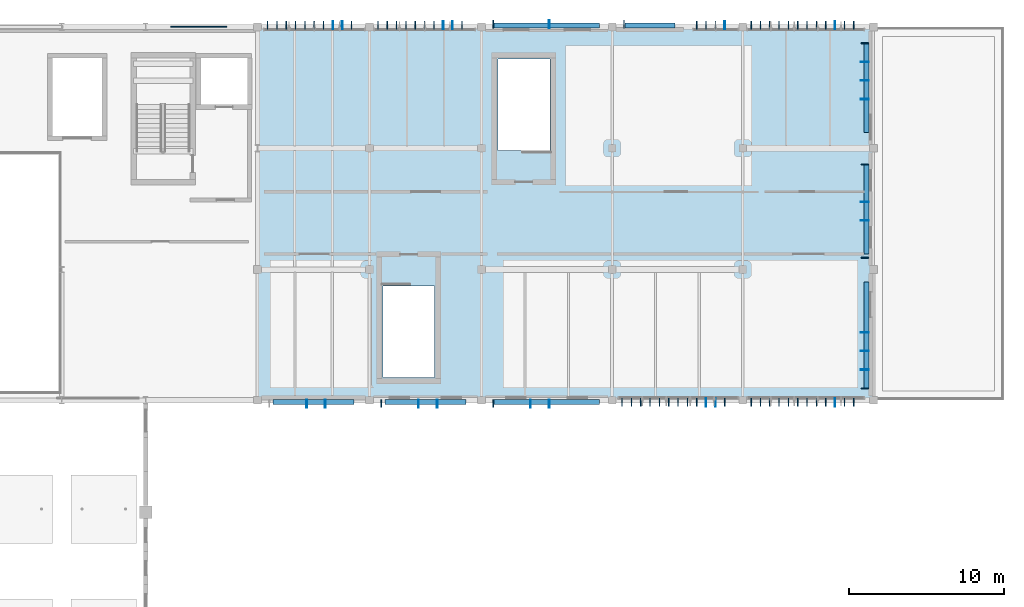
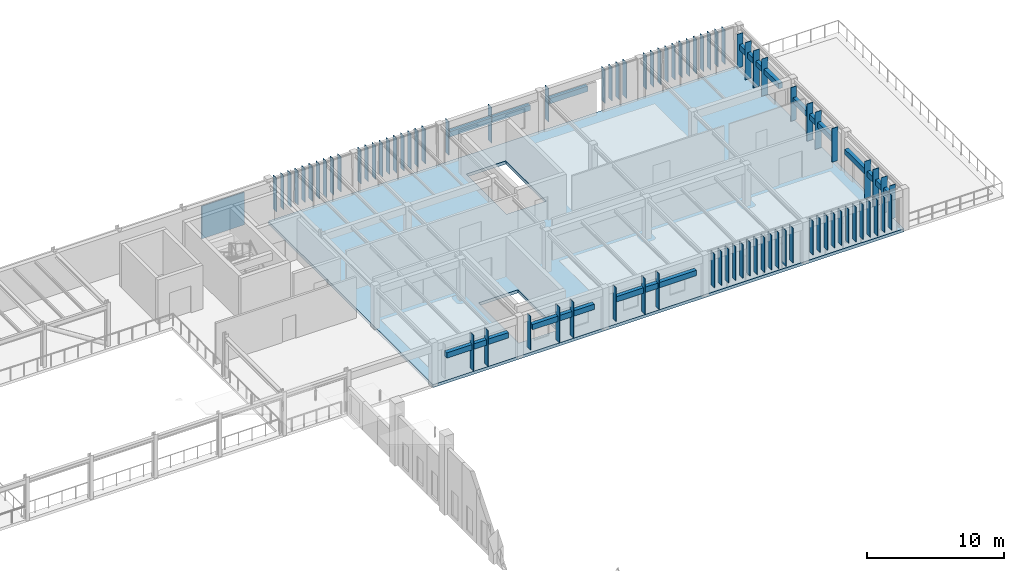
# One storey, part 15 of 44: 92 plates, 1 slab.
"""IFC4 building model written with IfcOpenShell, lengths in metres."""

from ifc_helpers import new_model, si_unit, direction, frame, origin, origin_2d, place, context, subcontext, project, spatial, polyline, rectangle, outline, extrude, material, layer, layer_set, type_object, element, save


model = new_model("IFC4")

# Units and contexts
model_context = context("Model", 3, precision=1e-05, world=origin(), true_north=direction((0.0, 1.0)))
body_context = subcontext(model_context, "Body", "Model", "MODEL_VIEW")
ifc_project = project(units=[si_unit("LENGTHUNIT", "METRE"), si_unit("AREAUNIT", "SQUARE_METRE"), si_unit("VOLUMEUNIT", "CUBIC_METRE"), si_unit("PLANEANGLEUNIT", "RADIAN"), si_unit("MASSUNIT", "GRAM", prefix="KILO")], contexts=[model_context])

# Site, building, storey
site_placement = place(None, origin())
site = spatial("IfcSite", under=ifc_project, at=site_placement, CompositionType="ELEMENT")
building_placement = place(site_placement, origin())
building = spatial("IfcBuilding", under=site, at=building_placement, Name="Tazoul Stagehouse", CompositionType="ELEMENT")
storey_placement = place(building_placement, frame((0.0, 0.0, 13.199951171875)))
storey = spatial("IfcBuildingStorey", under=building, at=storey_placement, Name="L03", CompositionType="ELEMENT", Elevation=13.199951171875)

# Slab
ifc_material_1 = material(Name="Concrete C35/45", Category="concrete")
ifc_layer_1 = layer(ifc_material_1, 0.27001953125, Name="Concrete C35/45")
ifc_layer_set_1 = layer_set([ifc_layer_1], Name="Concrete C35/45")
slab_type = type_object("IfcSlabType", Name="Acoustic Rehearsal Slab 270", PredefinedType="FLOOR", material=ifc_layer_set_1)
slab_placement = place(storey_placement, frame((0.0, 0.0, -0.27001953125)))
element("IfcSlab", 1, at=slab_placement, inside=storey, type_object=slab_type, Name="L03 Acoustic Rehearsal Slab 270 (V3)", PredefinedType="FLOOR", context=body_context, shape_type="SweptSolid", body=[
    extrude(outline(polyline([(102.60009765625, 87.800048828125), (102.60009765625, 111.800048828125), (142.199951171875, 111.800048828125), (142.199951171875, 87.800048828125), (102.60009765625, 87.800048828125)]), holes=[polyline([(113.989990234375, 95.139892578125), (113.989990234375, 89.260009765625), (110.659912109375, 89.260009765625), (110.659912109375, 95.139892578125), (113.989990234375, 95.139892578125)]), polyline([(118.06005859375, 103.860107421875), (118.06005859375, 109.739990234375), (121.389892578125, 109.739990234375), (121.389892578125, 103.860107421875), (118.06005859375, 103.860107421875)])]), origin(), (0.0, 0.0, 1.0), 0.27001953125),
])

# Plates
ifc_material_2 = material(Name="Anodised Bronze Aluminium 6063-T6", Category="aluminium")
ifc_layer_2 = layer(ifc_material_2, 0.080078125, Name="Anodised Bronze Aluminium 6063-T6")
ifc_layer_set_2 = layer_set([ifc_layer_2], Name="Anodised Bronze Aluminium 6063-T6")
plate_type_1 = type_object("IfcPlateType", Name="Fly-Tower Acoustic Metal Cladding Cassette 80", PredefinedType="USERDEFINED", material=ifc_layer_set_2)
plate_1_placement = place(storey_placement, frame((98.800048828125, 111.820068359375, 0.375), z_axis=(0.0, 0.0, 1.0), x_axis=(1.0, 0.0, 0.0)))
element("IfcPlate", 2, at=plate_1_placement, inside=storey, type_object=plate_type_1, Name="L03 Fly-Tower Metal Cladding Panel MTL-01 N4", ObjectType="CLADDING PANEL", PredefinedType="USERDEFINED", context=body_context, shape_type="SweptSolid", body=[
    extrude(rectangle(XDim=3.60009765625, YDim=0.080078125, at=origin_2d()), origin(), (0.0, 0.0, 1.0), 2.89990234375),
])
ifc_layer_3 = layer(ifc_material_2, 0.5, Name="Anodised Bronze Aluminium 6063-T6")
ifc_layer_set_3 = layer_set([ifc_layer_3], Name="Anodised Bronze Aluminium 6063-T6")
plate_type_2 = type_object("IfcPlateType", Name="Parametric Terracotta-Bronze Solar Fin 500x3000", PredefinedType="USERDEFINED", material=ifc_layer_set_3)
for number, where, z_axis, x_axis, name in (
    (3, (103.239990234375, 111.909912109375, 0.650146484375), (0.0, 0.0, 1.0), (1.0, 0.0, 0.0), "L03 Parametric Solar Fin SFN-16 (CW-V3-N1-L03-B1-01)"),
    (4, (103.840087890625, 111.909912109375, 0.650146484375), (0.0, 0.0, 1.0), (1.0, 0.0, 0.0), "L03 Parametric Solar Fin SFN-16 (CW-V3-N1-L03-B1-02)"),
    (5, (104.43994140625, 111.909912109375, 0.650146484375), (0.0, 0.0, 1.0), (1.0, 0.0, 0.0), "L03 Parametric Solar Fin SFN-16 (CW-V3-N1-L03-B1-03)"),
    (6, (105.0400390625, 111.909912109375, 0.650146484375), (0.0, 0.0, 1.0), (1.0, 0.0, 0.0), "L03 Parametric Solar Fin SFN-16 (CW-V3-N1-L03-B1-04)"),
    (7, (105.639892578125, 111.909912109375, 0.650146484375), (0.0, 0.0, 1.0), (1.0, 0.0, 0.0), "L03 Parametric Solar Fin SFN-16 (CW-V3-N1-L03-B1-05)"),
    (8, (110.340087890625, 111.909912109375, 0.650146484375), (0.0, 0.0, 1.0), (1.0, 0.0, 0.0), "L03 Parametric Solar Fin SFN-16 (CW-V3-N1-L03-B2-01)"),
    (9, (110.93994140625, 111.909912109375, 0.650146484375), (0.0, 0.0, 1.0), (1.0, 0.0, 0.0), "L03 Parametric Solar Fin SFN-16 (CW-V3-N1-L03-B2-02)"),
    (10, (111.5400390625, 111.909912109375, 0.650146484375), (0.0, 0.0, 1.0), (1.0, 0.0, 0.0), "L03 Parametric Solar Fin SFN-16 (CW-V3-N1-L03-B2-03)"),
    (11, (112.139892578125, 111.909912109375, 0.650146484375), (0.0, 0.0, 1.0), (1.0, 0.0, 0.0), "L03 Parametric Solar Fin SFN-16 (CW-V3-N1-L03-B2-04)"),
    (12, (112.739990234375, 111.909912109375, 0.650146484375), (0.0, 0.0, 1.0), (1.0, 0.0, 0.0), "L03 Parametric Solar Fin SFN-16 (CW-V3-N1-L03-B2-05)"),
    (13, (117.7548828125, 111.97998046875, 0.580078125), (0.0, 0.0, 1.0), (1.0, 0.0, 0.0), "L03 Parametric Solar Fin SFN-16 (WALL-V3-N2-L03-S1-01)"),
    (14, (126.155029296875, 111.97998046875, 0.580078125), (0.0, 0.0, 1.0), (1.0, 0.0, 0.0), "L03 Parametric Solar Fin SFN-16 (WALL-V3-N2-L03-S2-01)"),
    (15, (130.840087890625, 111.909912109375, 0.650146484375), (0.0, 0.0, 1.0), (1.0, 0.0, 0.0), "L03 Parametric Solar Fin SFN-16 (CW-V3-N3-L03-B1-01)"),
    (16, (131.43994140625, 111.909912109375, 0.650146484375), (0.0, 0.0, 1.0), (1.0, 0.0, 0.0), "L03 Parametric Solar Fin SFN-16 (CW-V3-N3-L03-B1-02)"),
    (17, (134.340087890625, 111.909912109375, 0.650146484375), (0.0, 0.0, 1.0), (1.0, 0.0, 0.0), "L03 Parametric Solar Fin SFN-16 (CW-V3-N3-L03-B2-01)"),
    (18, (134.93994140625, 111.909912109375, 0.650146484375), (0.0, 0.0, 1.0), (1.0, 0.0, 0.0), "L03 Parametric Solar Fin SFN-16 (CW-V3-N3-L03-B2-02)"),
    (19, (135.5400390625, 111.909912109375, 0.650146484375), (0.0, 0.0, 1.0), (1.0, 0.0, 0.0), "L03 Parametric Solar Fin SFN-16 (CW-V3-N3-L03-B2-03)"),
    (20, (136.139892578125, 111.909912109375, 0.650146484375), (0.0, 0.0, 1.0), (1.0, 0.0, 0.0), "L03 Parametric Solar Fin SFN-16 (CW-V3-N3-L03-B2-04)"),
    (21, (136.739990234375, 111.909912109375, 0.650146484375), (0.0, 0.0, 1.0), (1.0, 0.0, 0.0), "L03 Parametric Solar Fin SFN-16 (CW-V3-N3-L03-B2-05)"),
    (22, (137.340087890625, 111.909912109375, 0.650146484375), (0.0, 0.0, 1.0), (1.0, 0.0, 0.0), "L03 Parametric Solar Fin SFN-16 (CW-V3-N3-L03-B2-06)"),
    (23, (110.554931640625, 87.590087890625, 0.580078125), (0.0, 0.0, 1.0), (1.0, 0.0, 0.0), "L03 Parametric Solar Fin SFN-16 (WALL-V3-S1-L03-S2-01)"),
    (24, (117.7548828125, 87.590087890625, 0.580078125), (0.0, 0.0, 1.0), (1.0, 0.0, 0.0), "L03 Parametric Solar Fin SFN-16 (WALL-V3-S1-L03-S3-01)"),
    (25, (126.0400390625, 87.659912109375, 0.650146484375), (0.0, 0.0, 1.0), (1.0, 0.0, 0.0), "L03 Parametric Solar Fin SFN-16 (CW-V3-S2-L03-B1-01)"),
    (26, (126.639892578125, 87.659912109375, 0.650146484375), (0.0, 0.0, 1.0), (1.0, 0.0, 0.0), "L03 Parametric Solar Fin SFN-16 (CW-V3-S2-L03-B1-02)"),
    (27, (127.239990234375, 87.659912109375, 0.650146484375), (0.0, 0.0, 1.0), (1.0, 0.0, 0.0), "L03 Parametric Solar Fin SFN-16 (CW-V3-S2-L03-B1-03)"),
    (28, (127.840087890625, 87.659912109375, 0.650146484375), (0.0, 0.0, 1.0), (1.0, 0.0, 0.0), "L03 Parametric Solar Fin SFN-16 (CW-V3-S2-L03-B1-04)"),
    (29, (128.43994140625, 87.659912109375, 0.650146484375), (0.0, 0.0, 1.0), (1.0, 0.0, 0.0), "L03 Parametric Solar Fin SFN-16 (CW-V3-S2-L03-B1-05)"),
    (30, (129.0400390625, 87.659912109375, 0.650146484375), (0.0, 0.0, 1.0), (1.0, 0.0, 0.0), "L03 Parametric Solar Fin SFN-16 (CW-V3-S2-L03-B1-06)"),
    (31, (134.340087890625, 87.659912109375, 0.650146484375), (0.0, 0.0, 1.0), (1.0, 0.0, 0.0), "L03 Parametric Solar Fin SFN-16 (CW-V3-S2-L03-B2-01)"),
    (32, (134.93994140625, 87.659912109375, 0.650146484375), (0.0, 0.0, 1.0), (1.0, 0.0, 0.0), "L03 Parametric Solar Fin SFN-16 (CW-V3-S2-L03-B2-02)"),
    (33, (135.5400390625, 87.659912109375, 0.650146484375), (0.0, 0.0, 1.0), (1.0, 0.0, 0.0), "L03 Parametric Solar Fin SFN-16 (CW-V3-S2-L03-B2-03)"),
    (34, (136.139892578125, 87.659912109375, 0.650146484375), (0.0, 0.0, 1.0), (1.0, 0.0, 0.0), "L03 Parametric Solar Fin SFN-16 (CW-V3-S2-L03-B2-04)"),
    (35, (136.739990234375, 87.659912109375, 0.650146484375), (0.0, 0.0, 1.0), (1.0, 0.0, 0.0), "L03 Parametric Solar Fin SFN-16 (CW-V3-S2-L03-B2-05)"),
    (36, (137.340087890625, 87.659912109375, 0.650146484375), (0.0, 0.0, 1.0), (1.0, 0.0, 0.0), "L03 Parametric Solar Fin SFN-16 (CW-V3-S2-L03-B2-06)"),
    (37, (141.659912109375, 88.554931640625, 0.630126953125), (0.0, 0.0, 1.0), (0.0, 1.0, 0.0), "L03 Parametric Solar Fin SFN-16 (WALL-V3-E-L03-S1-01)"),
    (38, (141.659912109375, 96.955078125, 0.630126953125), (0.0, 0.0, 1.0), (0.0, 1.0, 0.0), "L03 Parametric Solar Fin SFN-16 (WALL-V3-E-L03-S2-01)"),
    (39, (141.659912109375, 102.955078125, 0.630126953125), (0.0, 0.0, 1.0), (0.0, 1.0, 0.0), "L03 Parametric Solar Fin SFN-16 (WALL-V3-E-L03-S2-06)"),
    (40, (141.659912109375, 110.7548828125, 0.630126953125), (0.0, 0.0, 1.0), (0.0, 1.0, 0.0), "L03 Parametric Solar Fin SFN-16 (WALL-V3-E-L03-S3-06)"),
):
    element("IfcPlate", number, at=place(storey_placement, frame(where, z_axis=z_axis, x_axis=x_axis)), inside=storey, type_object=plate_type_2, Name=name, ObjectType="SOLAR FIN", PredefinedType="USERDEFINED", context=body_context, shape_type="SweptSolid", body=[
        extrude(rectangle(XDim=0.044921875, YDim=0.5, at=origin_2d()), origin(), (0.0, 0.0, 1.0), 3.0),
    ])
ifc_layer_4 = layer(ifc_material_2, 0.510009765625, Name="Anodised Bronze Aluminium 6063-T6")
ifc_layer_set_4 = layer_set([ifc_layer_4], Name="Anodised Bronze Aluminium 6063-T6")
plate_type_3 = type_object("IfcPlateType", Name="Parametric Terracotta-Bronze Solar Fin 510x3100", PredefinedType="USERDEFINED", material=ifc_layer_set_4)
for number, where, z_axis, x_axis, name in (
    (41, (106.239990234375, 111.9150390625, 0.550048828125), (0.0, 0.0, 1.0), (1.0, 0.0, 0.0), "L03 Parametric Solar Fin SFN-17 (CW-V3-N1-L03-B1-06)"),
    (42, (106.840087890625, 111.9150390625, 0.550048828125), (0.0, 0.0, 1.0), (1.0, 0.0, 0.0), "L03 Parametric Solar Fin SFN-17 (CW-V3-N1-L03-B1-07)"),
    (43, (108.639892578125, 111.9150390625, 0.550048828125), (0.0, 0.0, 1.0), (1.0, 0.0, 0.0), "L03 Parametric Solar Fin SFN-17 (CW-V3-N1-L03-B1-10)"),
    (44, (113.340087890625, 111.9150390625, 0.550048828125), (0.0, 0.0, 1.0), (1.0, 0.0, 0.0), "L03 Parametric Solar Fin SFN-17 (CW-V3-N1-L03-B2-06)"),
    (45, (113.93994140625, 111.9150390625, 0.550048828125), (0.0, 0.0, 1.0), (1.0, 0.0, 0.0), "L03 Parametric Solar Fin SFN-17 (CW-V3-N1-L03-B2-07)"),
    (46, (115.739990234375, 111.9150390625, 0.550048828125), (0.0, 0.0, 1.0), (1.0, 0.0, 0.0), "L03 Parametric Solar Fin SFN-17 (CW-V3-N1-L03-B2-10)"),
    (47, (132.0400390625, 111.9150390625, 0.550048828125), (0.0, 0.0, 1.0), (1.0, 0.0, 0.0), "L03 Parametric Solar Fin SFN-17 (CW-V3-N3-L03-B1-03)"),
    (48, (137.93994140625, 111.9150390625, 0.550048828125), (0.0, 0.0, 1.0), (1.0, 0.0, 0.0), "L03 Parametric Solar Fin SFN-17 (CW-V3-N3-L03-B2-07)"),
    (49, (138.5400390625, 111.9150390625, 0.550048828125), (0.0, 0.0, 1.0), (1.0, 0.0, 0.0), "L03 Parametric Solar Fin SFN-17 (CW-V3-N3-L03-B2-08)"),
    (50, (139.139892578125, 111.9150390625, 0.550048828125), (0.0, 0.0, 1.0), (1.0, 0.0, 0.0), "L03 Parametric Solar Fin SFN-17 (CW-V3-N3-L03-B2-09)"),
    (51, (140.340087890625, 111.9150390625, 0.550048828125), (0.0, 0.0, 1.0), (1.0, 0.0, 0.0), "L03 Parametric Solar Fin SFN-17 (CW-V3-N3-L03-B2-11)"),
    (52, (140.93994140625, 111.9150390625, 0.550048828125), (0.0, 0.0, 1.0), (1.0, 0.0, 0.0), "L03 Parametric Solar Fin SFN-17 (CW-V3-N3-L03-B2-12)"),
    (53, (129.639892578125, 87.655029296875, 0.550048828125), (0.0, 0.0, 1.0), (1.0, 0.0, 0.0), "L03 Parametric Solar Fin SFN-17 (CW-V3-S2-L03-B1-07)"),
    (54, (130.239990234375, 87.655029296875, 0.550048828125), (0.0, 0.0, 1.0), (1.0, 0.0, 0.0), "L03 Parametric Solar Fin SFN-17 (CW-V3-S2-L03-B1-08)"),
    (55, (130.840087890625, 87.655029296875, 0.550048828125), (0.0, 0.0, 1.0), (1.0, 0.0, 0.0), "L03 Parametric Solar Fin SFN-17 (CW-V3-S2-L03-B1-09)"),
    (56, (132.639892578125, 87.655029296875, 0.550048828125), (0.0, 0.0, 1.0), (1.0, 0.0, 0.0), "L03 Parametric Solar Fin SFN-17 (CW-V3-S2-L03-B1-12)"),
    (57, (137.93994140625, 87.655029296875, 0.550048828125), (0.0, 0.0, 1.0), (1.0, 0.0, 0.0), "L03 Parametric Solar Fin SFN-17 (CW-V3-S2-L03-B2-07)"),
    (58, (138.5400390625, 87.655029296875, 0.550048828125), (0.0, 0.0, 1.0), (1.0, 0.0, 0.0), "L03 Parametric Solar Fin SFN-17 (CW-V3-S2-L03-B2-08)"),
    (59, (139.139892578125, 87.655029296875, 0.550048828125), (0.0, 0.0, 1.0), (1.0, 0.0, 0.0), "L03 Parametric Solar Fin SFN-17 (CW-V3-S2-L03-B2-09)"),
    (60, (140.340087890625, 87.655029296875, 0.550048828125), (0.0, 0.0, 1.0), (1.0, 0.0, 0.0), "L03 Parametric Solar Fin SFN-17 (CW-V3-S2-L03-B2-11)"),
    (61, (140.93994140625, 87.655029296875, 0.550048828125), (0.0, 0.0, 1.0), (1.0, 0.0, 0.0), "L03 Parametric Solar Fin SFN-17 (CW-V3-S2-L03-B2-12)"),
):
    element("IfcPlate", number, at=place(storey_placement, frame(where, z_axis=z_axis, x_axis=x_axis)), inside=storey, type_object=plate_type_3, Name=name, ObjectType="SOLAR FIN", PredefinedType="USERDEFINED", context=body_context, shape_type="SweptSolid", body=[
        extrude(rectangle(XDim=0.044921875, YDim=0.510009765625, at=origin_2d()), origin(), (0.0, 0.0, 1.0), 3.10009765625),
    ])
ifc_layer_5 = layer(ifc_material_2, 0.52001953125, Name="Anodised Bronze Aluminium 6063-T6")
ifc_layer_set_5 = layer_set([ifc_layer_5], Name="Anodised Bronze Aluminium 6063-T6")
plate_type_4 = type_object("IfcPlateType", Name="Parametric Terracotta-Bronze Solar Fin 520x3200", PredefinedType="USERDEFINED", material=ifc_layer_set_5)
for number, where, z_axis, x_axis, name in (
    (62, (107.43994140625, 111.919921875, 0.4501953125), (0.0, 0.0, 1.0), (1.0, 0.0, 0.0), "L03 Parametric Solar Fin SFN-18 (CW-V3-N1-L03-B1-08)"),
    (63, (108.0400390625, 111.919921875, 0.4501953125), (0.0, 0.0, 1.0), (1.0, 0.0, 0.0), "L03 Parametric Solar Fin SFN-18 (CW-V3-N1-L03-B1-09)"),
    (64, (114.5400390625, 111.919921875, 0.4501953125), (0.0, 0.0, 1.0), (1.0, 0.0, 0.0), "L03 Parametric Solar Fin SFN-18 (CW-V3-N1-L03-B2-08)"),
    (65, (115.139892578125, 111.919921875, 0.4501953125), (0.0, 0.0, 1.0), (1.0, 0.0, 0.0), "L03 Parametric Solar Fin SFN-18 (CW-V3-N1-L03-B2-09)"),
    (66, (121.35498046875, 111.989990234375, 0.3798828125), (0.0, 0.0, 1.0), (1.0, 0.0, 0.0), "L03 Parametric Solar Fin SFN-18 (WALL-V3-N2-L03-S1-04)"),
    (67, (132.639892578125, 111.919921875, 0.4501953125), (0.0, 0.0, 1.0), (1.0, 0.0, 0.0), "L03 Parametric Solar Fin SFN-18 (CW-V3-N3-L03-B1-04)"),
    (68, (139.739990234375, 111.919921875, 0.4501953125), (0.0, 0.0, 1.0), (1.0, 0.0, 0.0), "L03 Parametric Solar Fin SFN-18 (CW-V3-N3-L03-B2-10)"),
    (69, (105.7548828125, 87.580078125, 0.3798828125), (0.0, 0.0, 1.0), (1.0, 0.0, 0.0), "L03 Parametric Solar Fin SFN-18 (WALL-V3-S1-L03-S1-03)"),
    (70, (106.955078125, 87.580078125, 0.3798828125), (0.0, 0.0, 1.0), (1.0, 0.0, 0.0), "L03 Parametric Solar Fin SFN-18 (WALL-V3-S1-L03-S1-04)"),
    (71, (112.955078125, 87.580078125, 0.3798828125), (0.0, 0.0, 1.0), (1.0, 0.0, 0.0), "L03 Parametric Solar Fin SFN-18 (WALL-V3-S1-L03-S2-03)"),
    (72, (114.155029296875, 87.580078125, 0.3798828125), (0.0, 0.0, 1.0), (1.0, 0.0, 0.0), "L03 Parametric Solar Fin SFN-18 (WALL-V3-S1-L03-S2-04)"),
    (73, (120.155029296875, 87.580078125, 0.3798828125), (0.0, 0.0, 1.0), (1.0, 0.0, 0.0), "L03 Parametric Solar Fin SFN-18 (WALL-V3-S1-L03-S3-03)"),
    (74, (121.35498046875, 87.580078125, 0.3798828125), (0.0, 0.0, 1.0), (1.0, 0.0, 0.0), "L03 Parametric Solar Fin SFN-18 (WALL-V3-S1-L03-S3-04)"),
    (75, (131.43994140625, 87.64990234375, 0.4501953125), (0.0, 0.0, 1.0), (1.0, 0.0, 0.0), "L03 Parametric Solar Fin SFN-18 (CW-V3-S2-L03-B1-10)"),
    (76, (132.0400390625, 87.64990234375, 0.4501953125), (0.0, 0.0, 1.0), (1.0, 0.0, 0.0), "L03 Parametric Solar Fin SFN-18 (CW-V3-S2-L03-B1-11)"),
    (77, (139.739990234375, 87.64990234375, 0.4501953125), (0.0, 0.0, 1.0), (1.0, 0.0, 0.0), "L03 Parametric Solar Fin SFN-18 (CW-V3-S2-L03-B2-10)"),
    (78, (141.64990234375, 89.7548828125, 0.43017578125), (0.0, 0.0, 1.0), (0.0, 1.0, 0.0), "L03 Parametric Solar Fin SFN-18 (WALL-V3-E-L03-S1-02)"),
):
    element("IfcPlate", number, at=place(storey_placement, frame(where, z_axis=z_axis, x_axis=x_axis)), inside=storey, type_object=plate_type_4, Name=name, ObjectType="SOLAR FIN", PredefinedType="USERDEFINED", context=body_context, shape_type="SweptSolid", body=[
        extrude(rectangle(XDim=0.044921875, YDim=0.52001953125, at=origin_2d()), origin(), (0.0, 0.0, 1.0), 3.199951171875),
    ])
ifc_layer_6 = layer(ifc_material_2, 0.530029296875, Name="Anodised Bronze Aluminium 6063-T6")
ifc_layer_set_6 = layer_set([ifc_layer_6], Name="Anodised Bronze Aluminium 6063-T6")
plate_type_5 = type_object("IfcPlateType", Name="Parametric Terracotta-Bronze Solar Fin 530x3300", PredefinedType="USERDEFINED", material=ifc_layer_set_6)
for number, where, z_axis, x_axis, name in (
    (79, (141.64501953125, 90.955078125, 0.330078125), (0.0, 0.0, 1.0), (0.0, 1.0, 0.0), "L03 Parametric Solar Fin SFN-19 (WALL-V3-E-L03-S1-03)"),
    (80, (141.64501953125, 92.155029296875, 0.330078125), (0.0, 0.0, 1.0), (0.0, 1.0, 0.0), "L03 Parametric Solar Fin SFN-19 (WALL-V3-E-L03-S1-04)"),
    (81, (141.64501953125, 99.35498046875, 0.330078125), (0.0, 0.0, 1.0), (0.0, 1.0, 0.0), "L03 Parametric Solar Fin SFN-19 (WALL-V3-E-L03-S2-03)"),
    (82, (141.64501953125, 100.554931640625, 0.330078125), (0.0, 0.0, 1.0), (0.0, 1.0, 0.0), "L03 Parametric Solar Fin SFN-19 (WALL-V3-E-L03-S2-04)"),
    (83, (141.64501953125, 107.155029296875, 0.330078125), (0.0, 0.0, 1.0), (0.0, 1.0, 0.0), "L03 Parametric Solar Fin SFN-19 (WALL-V3-E-L03-S3-03)"),
    (84, (141.64501953125, 108.35498046875, 0.330078125), (0.0, 0.0, 1.0), (0.0, 1.0, 0.0), "L03 Parametric Solar Fin SFN-19 (WALL-V3-E-L03-S3-04)"),
    (85, (141.64501953125, 109.554931640625, 0.330078125), (0.0, 0.0, 1.0), (0.0, 1.0, 0.0), "L03 Parametric Solar Fin SFN-19 (WALL-V3-E-L03-S3-05)"),
):
    element("IfcPlate", number, at=place(storey_placement, frame(where, z_axis=z_axis, x_axis=x_axis)), inside=storey, type_object=plate_type_5, Name=name, ObjectType="SOLAR FIN", PredefinedType="USERDEFINED", context=body_context, shape_type="SweptSolid", body=[
        extrude(rectangle(XDim=0.044921875, YDim=0.530029296875, at=origin_2d()), origin(), (0.0, 0.0, 1.0), 3.300048828125),
    ])
ifc_layer_7 = layer(ifc_material_2, 0.320068359375, Name="Anodised Bronze Aluminium 6063-T6")
ifc_layer_set_7 = layer_set([ifc_layer_7], Name="Anodised Bronze Aluminium 6063-T6")
plate_type_6 = type_object("IfcPlateType", Name="Sculpted Facade Spandrel Ribbon 3200x480", PredefinedType="USERDEFINED", material=ifc_layer_set_7)
plate_2_placement = place(storey_placement, frame((127.827392578125, 111.889892578125, 2.1650390625), z_axis=(0.0, 0.0, 1.0), x_axis=(1.0, 0.0, 0.0)))
element("IfcPlate", 86, at=plate_2_placement, inside=storey, type_object=plate_type_6, Name="L03 Sculpted Facade Spandrel Ribbon FRB-04 (WALL-V3-N2-L03-S2)", ObjectType="FACADE RIBBON", PredefinedType="USERDEFINED", context=body_context, shape_type="SweptSolid", body=[
    extrude(rectangle(XDim=3.199951171875, YDim=0.320068359375, at=origin_2d()), origin(), (0.0, 0.0, 1.0), 0.47998046875),
])
ifc_layer_8 = layer(ifc_material_2, 0.320068359375, Name="Anodised Bronze Aluminium 6063-T6")
ifc_layer_set_8 = layer_set([ifc_layer_8], Name="Anodised Bronze Aluminium 6063-T6")
plate_type_7 = type_object("IfcPlateType", Name="Sculpted Facade Spandrel Ribbon 5200x480", PredefinedType="USERDEFINED", material=ifc_layer_set_8)
for number, where, z_axis, x_axis, name in (
    (87, (106.199951171875, 87.679931640625, 2.1650390625), (0.0, 0.0, 1.0), (1.0, 0.0, 0.0), "L03 Sculpted Facade Spandrel Ribbon FRB-07 (WALL-V3-S1-L03-S1)"),
    (88, (113.39990234375, 87.679931640625, 2.1650390625), (0.0, 0.0, 1.0), (1.0, 0.0, 0.0), "L03 Sculpted Facade Spandrel Ribbon FRB-07 (WALL-V3-S1-L03-S2)"),
):
    element("IfcPlate", number, at=place(storey_placement, frame(where, z_axis=z_axis, x_axis=x_axis)), inside=storey, type_object=plate_type_7, Name=name, ObjectType="FACADE RIBBON", PredefinedType="USERDEFINED", context=body_context, shape_type="SweptSolid", body=[
        extrude(rectangle(XDim=5.199951171875, YDim=0.320068359375, at=origin_2d()), origin(), (0.0, 0.0, 1.0), 0.47998046875),
    ])
ifc_layer_9 = layer(ifc_material_2, 0.320068359375, Name="Anodised Bronze Aluminium 6063-T6")
ifc_layer_set_9 = layer_set([ifc_layer_9], Name="Anodised Bronze Aluminium 6063-T6")
plate_type_8 = type_object("IfcPlateType", Name="Sculpted Facade Spandrel Ribbon 5800x480", PredefinedType="USERDEFINED", material=ifc_layer_set_9)
for number, where, z_axis, x_axis, name in (
    (89, (141.75, 100.10009765625, 2.197509765625), (0.0, 0.0, 1.0), (0.0, 1.0, 0.0), "L03 Sculpted Facade Spandrel Ribbon FRB-08 (WALL-V3-E-L03-S2)"),
    (90, (141.75, 107.89990234375, 2.197509765625), (0.0, 0.0, 1.0), (0.0, 1.0, 0.0), "L03 Sculpted Facade Spandrel Ribbon FRB-08 (WALL-V3-E-L03-S3)"),
):
    element("IfcPlate", number, at=place(storey_placement, frame(where, z_axis=z_axis, x_axis=x_axis)), inside=storey, type_object=plate_type_8, Name=name, ObjectType="FACADE RIBBON", PredefinedType="USERDEFINED", context=body_context, shape_type="SweptSolid", body=[
        extrude(rectangle(XDim=5.800048828125, YDim=0.320068359375, at=origin_2d()), origin(), (0.0, 0.0, 1.0), 0.47998046875),
    ])
ifc_layer_10 = layer(ifc_material_2, 0.320068359375, Name="Anodised Bronze Aluminium 6063-T6")
ifc_layer_set_10 = layer_set([ifc_layer_10], Name="Anodised Bronze Aluminium 6063-T6")
plate_type_9 = type_object("IfcPlateType", Name="Sculpted Facade Spandrel Ribbon 6800x480", PredefinedType="USERDEFINED", material=ifc_layer_set_10)
for number, where, z_axis, x_axis, name in (
    (91, (121.199951171875, 111.889892578125, 2.1650390625), (0.0, 0.0, 1.0), (1.0, 0.0, 0.0), "L03 Sculpted Facade Spandrel Ribbon FRB-10 (WALL-V3-N2-L03-S1)"),
    (92, (121.199951171875, 87.679931640625, 2.1650390625), (0.0, 0.0, 1.0), (1.0, 0.0, 0.0), "L03 Sculpted Facade Spandrel Ribbon FRB-10 (WALL-V3-S1-L03-S3)"),
    (93, (141.75, 92.0, 2.197509765625), (0.0, 0.0, 1.0), (0.0, 1.0, 0.0), "L03 Sculpted Facade Spandrel Ribbon FRB-10 (WALL-V3-E-L03-S1)"),
):
    element("IfcPlate", number, at=place(storey_placement, frame(where, z_axis=z_axis, x_axis=x_axis)), inside=storey, type_object=plate_type_9, Name=name, ObjectType="FACADE RIBBON", PredefinedType="USERDEFINED", context=body_context, shape_type="SweptSolid", body=[
        extrude(rectangle(XDim=6.800048828125, YDim=0.320068359375, at=origin_2d()), origin(), (0.0, 0.0, 1.0), 0.47998046875),
    ])

save(model, "model.ifc")
